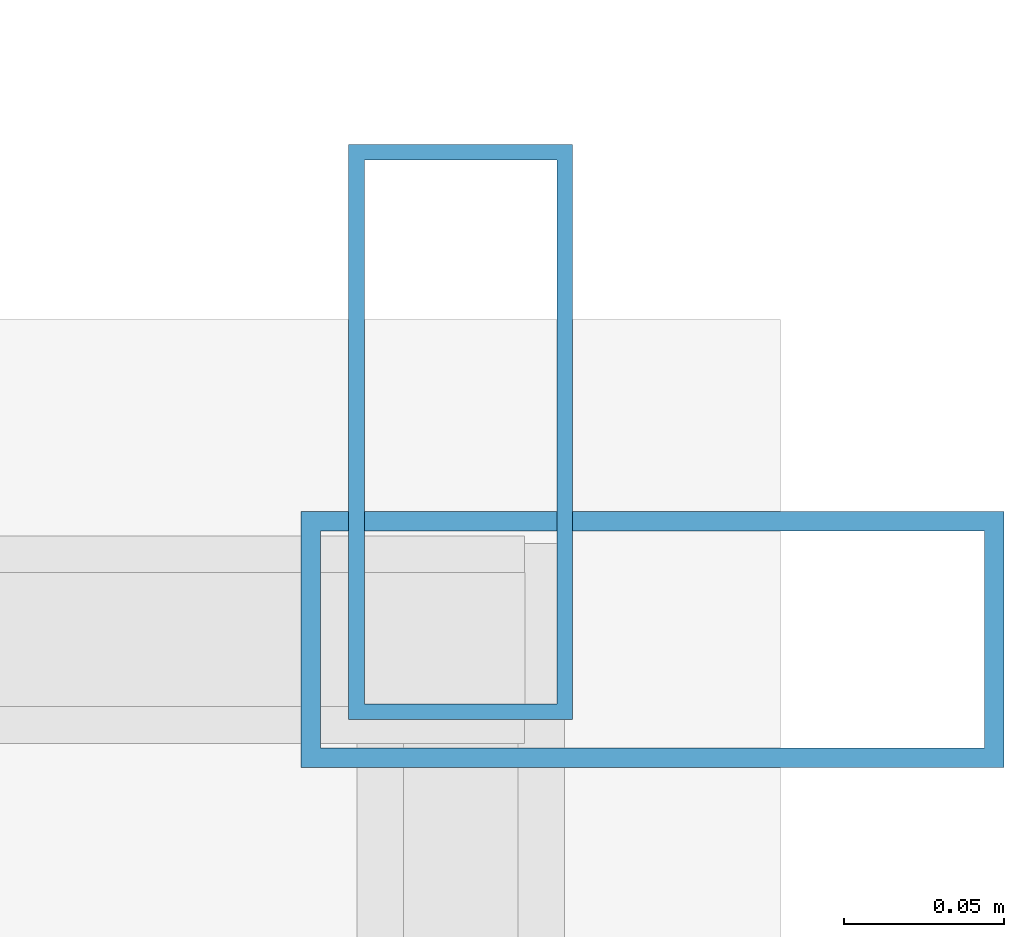
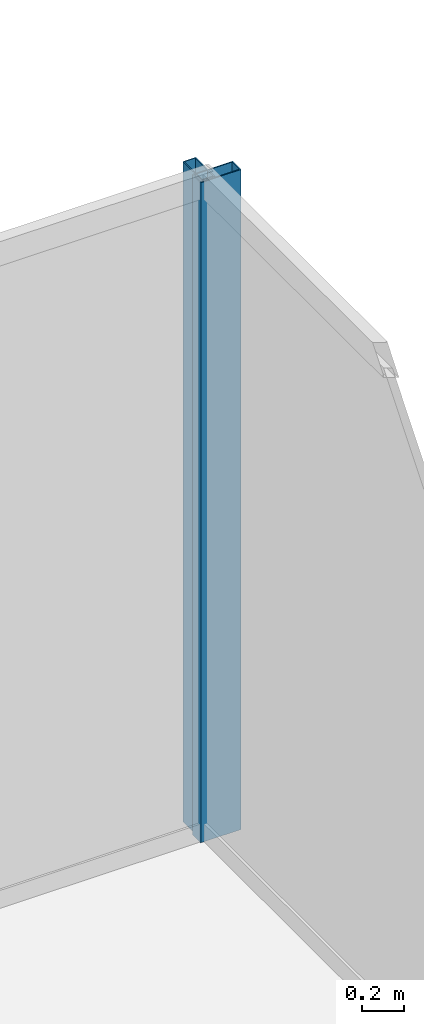
# One storey, part 26 of 33: 2 members, 2 elements without a shape of their own.
"""IFC4 building model written with IfcOpenShell, lengths in metres."""

from ifc_helpers import new_model, si_unit, direction, frame, origin, origin_2d, place, context, subcontext, project, spatial, hollow_rectangle, extrude, source, transform, mapped, material, layer, layer_set, material_profile, profile_set, type_object, type_shapes, element, aggregate, save


model = new_model("IFC4")

# Units and contexts
model_context = context("Model", 3, precision=1e-05, world=origin(), true_north=direction((0.0, 1.0)))
body_context = subcontext(model_context, "Body", "Model", "MODEL_VIEW")
ifc_project = project(units=[si_unit("LENGTHUNIT", "METRE"), si_unit("AREAUNIT", "SQUARE_METRE"), si_unit("VOLUMEUNIT", "CUBIC_METRE"), si_unit("PLANEANGLEUNIT", "RADIAN"), si_unit("MASSUNIT", "GRAM", prefix="KILO")], contexts=[model_context])

# Site, building, storey
site_placement = place(None, origin())
site = spatial("IfcSite", under=ifc_project, at=site_placement, CompositionType="ELEMENT")
building_placement = place(site_placement, origin())
building = spatial("IfcBuilding", under=site, at=building_placement, Name="Haelvirn Gate Laboratories", CompositionType="ELEMENT")
storey_placement = place(building_placement, frame((0.0, 0.0, 267.0)))
storey = spatial("IfcBuildingStorey", under=building, at=storey_placement, Name="L64", CompositionType="ELEMENT", Elevation=267.0)

# Curtain wall, member
ifc_material_1 = material(Name="Anodised bronze unitised aluminium & triple low-E glass", Category="aluminium")
ifc_layer_1 = layer(ifc_material_1, 0.176025390625, Name="CW-SYS-4")
ifc_layer_set_1 = layer_set([ifc_layer_1], Name="Anodised bronze unitised aluminium & triple low-E glass")
curtain_wall_type_1 = type_object("IfcCurtainWallType", Name="CW-SYS-4", PredefinedType="NOTDEFINED", material=ifc_layer_set_1)
curtain_wall_1_placement = place(storey_placement, origin())
curtain_wall_1 = element("IfcCurtainWall", 1, at=curtain_wall_1_placement, inside=storey, type_object=curtain_wall_type_1, Name="L64 Unitised Curtain Wall CW-L64-P0-E07", PredefinedType="NOTDEFINED")
ifc_material_2 = material(Name="Extruded aluminium 6063-T6 (anodised bronze)", Category="aluminium")
ifc_material_profile_1 = material_profile(ifc_material_2, hollow_rectangle(XDim=0.070068359375, YDim=0.179931640625, WallThickness=0.0048828125, at=origin_2d()), Name="CWM-180x70x5")
ifc_profile_set_1 = profile_set([ifc_material_profile_1], Name="Extruded aluminium 6063-T6 (anodised bronze)")
member_type_1 = type_object("IfcMemberType", Name="CWM-T180", PredefinedType="MULLION", material=ifc_profile_set_1)
shared_shape_1 = source(origin(), body_context, "Body", "SweptSolid", [
    extrude(hollow_rectangle(XDim=0.070068359375, YDim=0.179931640625, WallThickness=0.0048828125, at=origin_2d()), origin(), (0.0, 0.0, 1.0), 3.800048828125),
])
type_shapes(member_type_1, [shared_shape_1])
member_1_placement = place(storey_placement, frame((70.699951171875, 42.764892578125, 0.0), z_axis=(0.0, 0.0, 1.0), x_axis=(-1.0, 0.0, 0.0)))
member_1 = element("IfcMember", 2, at=member_1_placement, type_object=member_type_1, Name="CW4 mullion 3", PredefinedType="MULLION", context=body_context, shape_type="MappedRepresentation", body=[
    mapped(shared_shape_1, transform((0.0, 0.0, 0.0), scale=1.0)),
])
aggregate(curtain_wall_1, [member_1])

ifc_layer_2 = layer(ifc_material_1, 0.181884765625, Name="CW-SYS-5")
ifc_layer_set_2 = layer_set([ifc_layer_2], Name="Anodised bronze unitised aluminium & triple low-E glass")
curtain_wall_type_2 = type_object("IfcCurtainWallType", Name="CW-SYS-5", PredefinedType="NOTDEFINED", material=ifc_layer_set_2)
curtain_wall_2_placement = place(storey_placement, origin())
curtain_wall_2 = element("IfcCurtainWall", 3, at=curtain_wall_2_placement, inside=storey, type_object=curtain_wall_type_2, Name="L64 Unitised Curtain Wall CW-L64-P0-E08-1", PredefinedType="NOTDEFINED")
ifc_material_profile_2 = material_profile(ifc_material_2, hollow_rectangle(XDim=0.080078125, YDim=0.219970703125, WallThickness=0.006103515625, at=origin_2d()), Name="CWM-220x80x6")
ifc_profile_set_2 = profile_set([ifc_material_profile_2], Name="Extruded aluminium 6063-T6 (anodised bronze)")
member_type_2 = type_object("IfcMemberType", Name="CWM-T220", PredefinedType="MULLION", material=ifc_profile_set_2)
shared_shape_2 = source(origin(), body_context, "Body", "SweptSolid", [
    extrude(hollow_rectangle(XDim=0.080078125, YDim=0.219970703125, WallThickness=0.006103515625, at=origin_2d()), origin(), (0.0, 0.0, 1.0), 3.800048828125),
])
type_shapes(member_type_2, [shared_shape_2])
member_2_placement = place(storey_placement, frame((70.760009765625, 42.699951171875, 0.0), z_axis=(0.0, 0.0, 1.0), x_axis=(0.0, 1.0, 0.0)))
member_2 = element("IfcMember", 4, at=member_2_placement, type_object=member_type_2, Name="CW5 mullion 2", PredefinedType="MULLION", context=body_context, shape_type="MappedRepresentation", body=[
    mapped(shared_shape_2, transform((0.0, 0.0, 0.0), scale=1.0)),
])
aggregate(curtain_wall_2, [member_2])

save(model, "model.ifc")
